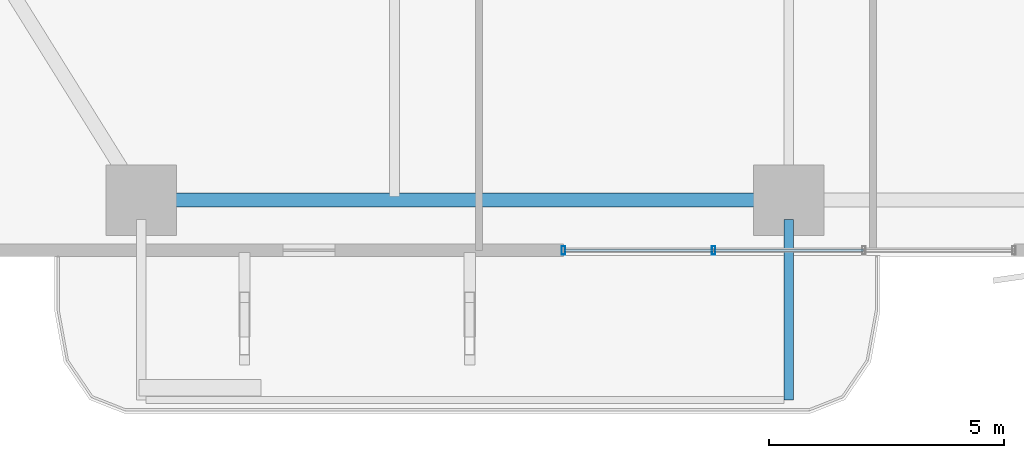
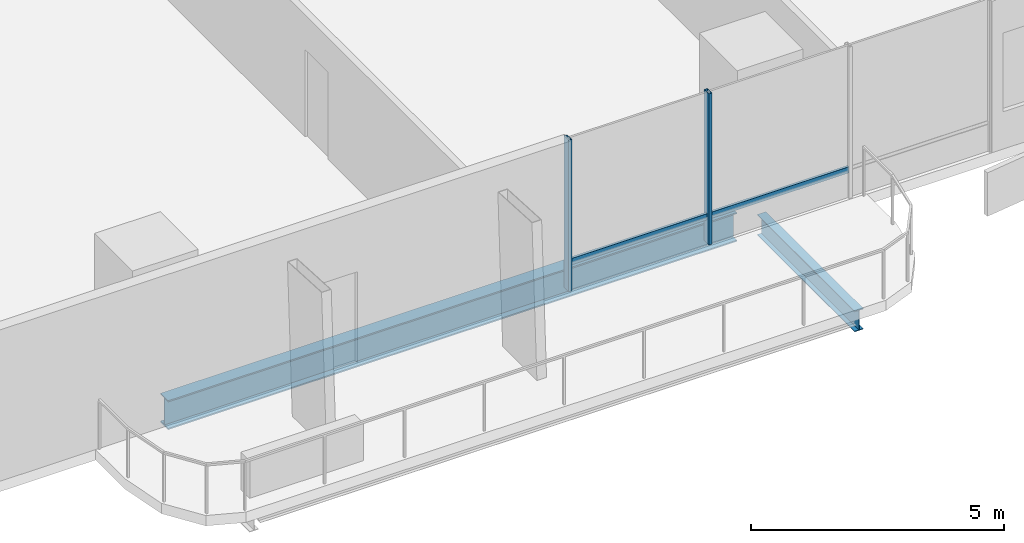
# One storey, part 2 of 23: 4 members, 2 beams, 1 element without a shape of its own.
"""IFC4 building model written with IfcOpenShell, lengths in metres."""

from ifc_helpers import new_model, si_unit, direction, frame, origin, origin_2d, place, context, subcontext, project, spatial, hollow_rectangle, i_section, extrude, material, layer, layer_set, material_profile, profile_set, type_object, element, aggregate, save


model = new_model("IFC4")

# Units and contexts
model_context = context("Model", 3, precision=1e-05, world=origin(), true_north=direction((0.0, 1.0)))
body_context = subcontext(model_context, "Body", "Model", "MODEL_VIEW")
ifc_project = project(units=[si_unit("LENGTHUNIT", "METRE"), si_unit("AREAUNIT", "SQUARE_METRE"), si_unit("VOLUMEUNIT", "CUBIC_METRE"), si_unit("PLANEANGLEUNIT", "RADIAN"), si_unit("MASSUNIT", "GRAM", prefix="KILO")], contexts=[model_context])

# Site, building, storey
site_placement = place(None, origin())
site = spatial("IfcSite", under=ifc_project, at=site_placement, CompositionType="ELEMENT")
building_placement = place(site_placement, origin())
building = spatial("IfcBuilding", under=site, at=building_placement, Name="Belovzor Exchange Tower", CompositionType="ELEMENT")
storey_placement = place(building_placement, frame((0.0, 0.0, 65.10009765625)))
storey = spatial("IfcBuildingStorey", under=building, at=storey_placement, Name="L15", CompositionType="ELEMENT", Elevation=65.10009765625)

# Beam
ifc_material_1 = material(Name="Steel S355", Category="steel")
ifc_material_profile_1 = material_profile(ifc_material_1, i_section(OverallWidth=0.199951171875, OverallDepth=0.5, WebThickness=0.01025390625, FlangeThickness=0.01611328125, at=origin_2d()))
ifc_profile_set_1 = profile_set([ifc_material_profile_1], Name="Steel S355")
beam_type_1 = type_object("IfcBeamType", Name="Planted Balcony Cantilever Beam IPE 500", PredefinedType="BEAM", material=ifc_profile_set_1)
beam_1_placement = place(storey_placement, frame((28.800048828125, 1.68798828125, -0.5), z_axis=(0.0, -1.0, 0.0), x_axis=(1.0, 0.0, 0.0)))
element("IfcBeam", 1, at=beam_1_placement, inside=storey, type_object=beam_type_1, Name="BC-500 Planted Balcony Cantilever Beam IPE 500", PredefinedType="BEAM", context=body_context, shape_type="SweptSolid", body=[
    extrude(i_section(OverallWidth=0.199951171875, OverallDepth=0.5, WebThickness=0.01025390625, FlangeThickness=0.01611328125, at=origin_2d()), origin(), (0.0, 0.0, 1.0), 3.85009765625),
])

# Curtain wall, members
ifc_material_2 = material(Name="Anodised Aluminium Framing", Category="aluminium")
ifc_layer = layer(ifc_material_2, 0.179931640625)
ifc_layer_set = layer_set([ifc_layer], Name="Anodised Aluminium Framing")
curtain_wall_type = type_object("IfcCurtainWallType", Name="Recessed Loggia Low-Iron Triple-Glazed Curtain Wall", PredefinedType="NOTDEFINED", material=ifc_layer_set)
curtain_wall_placement = place(storey_placement, origin())
curtain_wall = element("IfcCurtainWall", 2, at=curtain_wall_placement, inside=storey, type_object=curtain_wall_type, Name="CW3 Recessed Loggia Low-Iron Triple-Glazed Curtain Wall L15", PredefinedType="NOTDEFINED")
ifc_material_3 = material(Name="Steel S355", Category="steel")
ifc_material_profile_2 = material_profile(ifc_material_3, hollow_rectangle(XDim=0.074951171875, YDim=0.179931640625, WallThickness=0.0048828125, at=origin_2d()))
ifc_profile_set_2 = profile_set([ifc_material_profile_2], Name="Steel S355")
member_type_1 = type_object("IfcMemberType", Name="Thermally Broken Curtain Wall Mullion 180x75", PredefinedType="MULLION", material=ifc_profile_set_2)
member_1_placement = place(storey_placement, frame((27.199951171875, 1.030029296875, 0.0), z_axis=(0.0, 0.0, 1.0), x_axis=(-1.0, 0.0, 0.0)))
member_1 = element("IfcMember", 3, at=member_1_placement, type_object=member_type_1, Name="CW-M180 Curtain Wall Mullion 3", PredefinedType="MULLION", context=body_context, shape_type="SweptSolid", body=[
    extrude(hollow_rectangle(XDim=0.074951171875, YDim=0.179931640625, WallThickness=0.0048828125, at=origin_2d()), origin(), (0.0, 0.0, 1.0), 3.64990234375),
])
member_2_placement = place(storey_placement, frame((24.0, 1.030029296875, 0.0), z_axis=(0.0, 0.0, 1.0), x_axis=(-1.0, 0.0, 0.0)))
member_2 = element("IfcMember", 4, at=member_2_placement, type_object=member_type_1, Name="CW-M180 Curtain Wall Mullion 4", PredefinedType="MULLION", context=body_context, shape_type="SweptSolid", body=[
    extrude(hollow_rectangle(XDim=0.074951171875, YDim=0.179931640625, WallThickness=0.0048828125, at=origin_2d()), origin(), (0.0, 0.0, 1.0), 3.64990234375),
])
ifc_material_4 = material(Name="Steel S355", Category="steel")
ifc_material_profile_3 = material_profile(ifc_material_4, hollow_rectangle(XDim=0.06005859375, YDim=0.14990234375, WallThickness=0.00390625, at=origin_2d()))
ifc_profile_set_3 = profile_set([ifc_material_profile_3], Name="Steel S355")
member_type_2 = type_object("IfcMemberType", Name="Thermally Broken Curtain Wall Transom 150x60", PredefinedType="USERDEFINED", material=ifc_profile_set_3)
member_3_placement = place(storey_placement, frame((30.39208984375, 1.030029296875, 0.64990234375), z_axis=(-1.0, 0.0, 0.0), x_axis=(0.0, -1.0, 0.0)))
member_3 = element("IfcMember", 5, at=member_3_placement, type_object=member_type_2, Name="CW-T150 Curtain Wall Transom 2", ObjectType="TRANSOM", PredefinedType="USERDEFINED", context=body_context, shape_type="SweptSolid", body=[
    extrude(hollow_rectangle(XDim=0.06005859375, YDim=0.14990234375, WallThickness=0.00390625, at=origin_2d()), origin(), (0.0, 0.0, 1.0), 3.18408203125),
])
member_4_placement = place(storey_placement, frame((27.19189453125, 1.030029296875, 0.64990234375), z_axis=(-1.0, 0.0, 0.0), x_axis=(0.0, -1.0, 0.0)))
member_4 = element("IfcMember", 6, at=member_4_placement, type_object=member_type_2, Name="CW-T150 Curtain Wall Transom 3", ObjectType="TRANSOM", PredefinedType="USERDEFINED", context=body_context, shape_type="SweptSolid", body=[
    extrude(hollow_rectangle(XDim=0.06005859375, YDim=0.14990234375, WallThickness=0.00390625, at=origin_2d()), origin(), (0.0, 0.0, 1.0), 3.183837890625),
])
aggregate(curtain_wall, [member_1, member_2, member_3, member_4])

# Beam
ifc_material_5 = material(Name="Steel S355", Category="steel")
ifc_material_profile_4 = material_profile(ifc_material_5, i_section(OverallWidth=0.300048828125, OverallDepth=0.699951171875, WebThickness=0.01708984375, FlangeThickness=0.031982421875, at=origin_2d()))
ifc_profile_set_4 = profile_set([ifc_material_profile_4], Name="Steel S355")
beam_type_2 = type_object("IfcBeamType", Name="Zone 1 Primary Perimeter Girder HEB 700", PredefinedType="BEAM", material=ifc_profile_set_4)
beam_2_placement = place(storey_placement, frame((15.412109375, 2.10009765625, -0.60009765625), z_axis=(1.0, 0.0, 0.0), x_axis=(0.0, 1.0, 0.0)))
element("IfcBeam", 7, at=beam_2_placement, inside=storey, type_object=beam_type_2, Name="FG-Z1 Zone 1 Primary Perimeter Girder HEB 700", PredefinedType="BEAM", context=body_context, shape_type="SweptSolid", body=[
    extrude(i_section(OverallWidth=0.300048828125, OverallDepth=0.699951171875, WebThickness=0.01708984375, FlangeThickness=0.031982421875, at=origin_2d()), origin(), (0.0, 0.0, 1.0), 12.974853515625),
])

save(model, "model.ifc")
